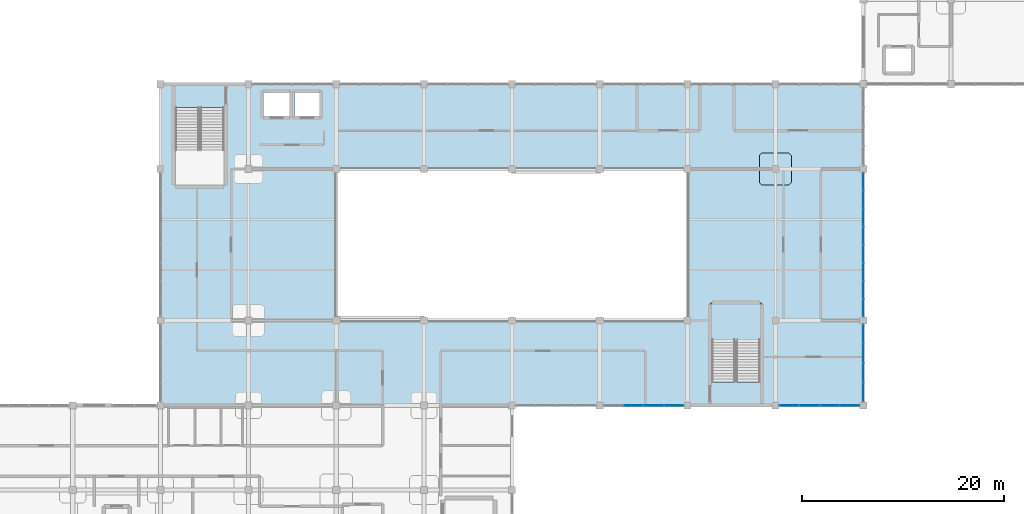
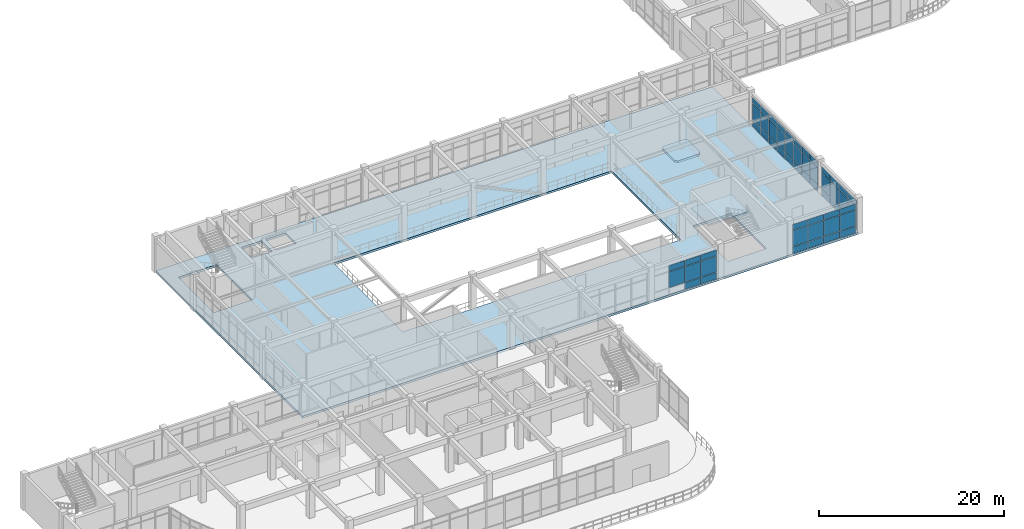
# One storey, part 55 of 76: 56 plates, 3 slabs, 6 elements without a shape of their own.
"""IFC4 building model written with IfcOpenShell, lengths in metres."""

from ifc_helpers import new_model, si_unit, derived_unit, direction, frame, origin, origin_2d, place, context, subcontext, project, spatial, polyline, rectangle, outline, extrude, material, layer, layer_set, type_object, element, aggregate, save


model = new_model("IFC4")

# Units and contexts
model_context = context("Model", 3, precision=1e-05, world=origin(), true_north=direction((0.0, 1.0)))
body_context = subcontext(model_context, "Body", "Model", "MODEL_VIEW")
ifc_project = project(units=[si_unit("LENGTHUNIT", "METRE"), si_unit("AREAUNIT", "SQUARE_METRE"), si_unit("VOLUMEUNIT", "CUBIC_METRE"), si_unit("PLANEANGLEUNIT", "RADIAN"), si_unit("MASSUNIT", "GRAM", prefix="KILO"), derived_unit("THERMALTRANSMITTANCEUNIT", [(si_unit("MASSUNIT", "GRAM", prefix="KILO"), 1), (si_unit("TIMEUNIT", "SECOND"), -3), (si_unit("THERMODYNAMICTEMPERATUREUNIT", "KELVIN"), -1)])], contexts=[model_context])

# Site, building, storey
site_placement = place(None, origin())
site = spatial("IfcSite", under=ifc_project, at=site_placement, CompositionType="ELEMENT")
building_placement = place(site_placement, origin())
building = spatial("IfcBuilding", under=site, at=building_placement, Name="Qinzheling Arcade Emporium", CompositionType="ELEMENT")
storey_placement = place(building_placement, frame((0.0, 0.0, 26.699951171875)))
storey = spatial("IfcBuildingStorey", under=building, at=storey_placement, Name="L06", CompositionType="ELEMENT", Elevation=26.699951171875)

# Slab
ifc_material_1 = material(Name="Concrete C40", Category="concrete")
ifc_layer_1 = layer(ifc_material_1, 0.300048828125, Name="Concrete C40", Category="concrete")
ifc_layer_set_1 = layer_set([ifc_layer_1], Name="Concrete C40")
slab_type_1 = type_object("IfcSlabType", Name="Column Head Drop Panel 3200x3200x300 C40", PredefinedType="USERDEFINED", material=ifc_layer_set_1)
slab_1_placement = place(storey_placement, frame((0.0, 0.0, -0.579833984375)))
element("IfcSlab", 1, at=slab_1_placement, inside=storey, type_object=slab_type_1, Name="Column Drop Panel DP-L06-12-H", ObjectType="DROP_PANEL", PredefinedType="USERDEFINED", context=body_context, shape_type="SweptSolid", body=[
    extrude(outline(polyline([(94.3798828125, 63.800048828125), (97.02001953125, 63.800048828125), (97.300048828125, 64.080078125), (97.300048828125, 66.719970703125), (97.02001953125, 67.0), (94.3798828125, 67.0), (94.10009765625, 66.719970703125), (94.10009765625, 64.080078125), (94.3798828125, 63.800048828125)])), origin(), (0.0, 0.0, 1.0), 0.2998046875),
])

# Curtain wall, plates
ifc_material_2 = material(Name="Anodised aluminium and solar-control double glazing", Category="aluminium")
ifc_layer_2 = layer(ifc_material_2, 0.159912109375, Name="Anodised aluminium and solar-control double glazing", Category="aluminium")
ifc_layer_set_2 = layer_set([ifc_layer_2], Name="Anodised aluminium and solar-control double glazing")
curtain_wall_type = type_object("IfcCurtainWallType", Name="Atrium Clerestory Curtain Wall", PredefinedType="NOTDEFINED", material=ifc_layer_set_2)
curtain_wall_1_placement = place(storey_placement, origin())
curtain_wall_1 = element("IfcCurtainWall", 2, at=curtain_wall_1_placement, inside=storey, type_object=curtain_wall_type, Name="Curtain Wall CW-L06-374", PredefinedType="NOTDEFINED")
ifc_material_3 = material(Name="Laminated solar-control double glazing", Category="glass")
ifc_layer_3 = layer(ifc_material_3, 0.033935546875, Name="Laminated solar-control double glazing", Category="glass")
ifc_layer_set_3 = layer_set([ifc_layer_3], Name="Laminated solar-control double glazing")
plate_type_1 = type_object("IfcPlateType", Name="Low-E Double Glazed Curtain Panel 34mm", PredefinedType="CURTAIN_PANEL", material=ifc_layer_set_3)
plate_1_placement = place(storey_placement, frame((104.39990234375, 64.1396484375, 0.06005859375), z_axis=(0.0, 0.0, 1.0), x_axis=(0.0, -1.0, 0.0)))
plate_1 = element("IfcPlate", 3, at=plate_1_placement, type_object=plate_type_1, Name="CW03 panel 1.1", PredefinedType="CURTAIN_PANEL", context=body_context, shape_type="SweptSolid", body=[
    extrude(rectangle(XDim=1.696533203125, YDim=0.033935546875, at=origin_2d()), origin(), (0.0, 0.0, 1.0), 0.860107421875),
])
plate_2_placement = place(storey_placement, frame((104.39990234375, 64.1396484375, 0.97998046875), z_axis=(0.0, 0.0, 1.0), x_axis=(0.0, -1.0, 0.0)))
plate_2 = element("IfcPlate", 4, at=plate_2_placement, type_object=plate_type_1, Name="CW03 panel 1.2", PredefinedType="CURTAIN_PANEL", context=body_context, shape_type="SweptSolid", body=[
    extrude(rectangle(XDim=1.696533203125, YDim=0.033935546875, at=origin_2d()), origin(), (0.0, 0.0, 1.0), 2.156982421875),
])
plate_3_placement = place(storey_placement, frame((104.39990234375, 64.1396484375, 3.197265625), z_axis=(0.0, 0.0, 1.0), x_axis=(0.0, -1.0, 0.0)))
plate_3 = element("IfcPlate", 5, at=plate_3_placement, type_object=plate_type_1, Name="CW03 panel 1.3", PredefinedType="CURTAIN_PANEL", context=body_context, shape_type="SweptSolid", body=[
    extrude(rectangle(XDim=1.696533203125, YDim=0.033935546875, at=origin_2d()), origin(), (0.0, 0.0, 1.0), 0.760009765625),
])
plate_4_placement = place(storey_placement, frame((104.39990234375, 62.3681640625, 0.06005859375), z_axis=(0.0, 0.0, 1.0), x_axis=(0.0, -1.0, 0.0)))
plate_4 = element("IfcPlate", 6, at=plate_4_placement, type_object=plate_type_1, Name="CW03 panel 2.1", PredefinedType="CURTAIN_PANEL", context=body_context, shape_type="SweptSolid", body=[
    extrude(rectangle(XDim=1.7265625, YDim=0.033935546875, at=origin_2d()), origin(), (0.0, 0.0, 1.0), 0.860107421875),
])
plate_5_placement = place(storey_placement, frame((104.39990234375, 62.3681640625, 0.97998046875), z_axis=(0.0, 0.0, 1.0), x_axis=(0.0, -1.0, 0.0)))
plate_5 = element("IfcPlate", 7, at=plate_5_placement, type_object=plate_type_1, Name="CW03 panel 2.2", PredefinedType="CURTAIN_PANEL", context=body_context, shape_type="SweptSolid", body=[
    extrude(rectangle(XDim=1.7265625, YDim=0.033935546875, at=origin_2d()), origin(), (0.0, 0.0, 1.0), 2.156982421875),
])
plate_6_placement = place(storey_placement, frame((104.39990234375, 62.3681640625, 3.197265625), z_axis=(0.0, 0.0, 1.0), x_axis=(0.0, -1.0, 0.0)))
plate_6 = element("IfcPlate", 8, at=plate_6_placement, type_object=plate_type_1, Name="CW03 panel 2.3", PredefinedType="CURTAIN_PANEL", context=body_context, shape_type="SweptSolid", body=[
    extrude(rectangle(XDim=1.7265625, YDim=0.033935546875, at=origin_2d()), origin(), (0.0, 0.0, 1.0), 0.760009765625),
])
plate_7_placement = place(storey_placement, frame((104.39990234375, 60.581787109375, 0.06005859375), z_axis=(0.0, 0.0, 1.0), x_axis=(0.0, -1.0, 0.0)))
plate_7 = element("IfcPlate", 9, at=plate_7_placement, type_object=plate_type_1, Name="CW03 panel 3.1", PredefinedType="CURTAIN_PANEL", context=body_context, shape_type="SweptSolid", body=[
    extrude(rectangle(XDim=1.7265625, YDim=0.033935546875, at=origin_2d()), origin(), (0.0, 0.0, 1.0), 0.860107421875),
])
plate_8_placement = place(storey_placement, frame((104.39990234375, 60.581787109375, 0.97998046875), z_axis=(0.0, 0.0, 1.0), x_axis=(0.0, -1.0, 0.0)))
plate_8 = element("IfcPlate", 10, at=plate_8_placement, type_object=plate_type_1, Name="CW03 panel 3.2", PredefinedType="CURTAIN_PANEL", context=body_context, shape_type="SweptSolid", body=[
    extrude(rectangle(XDim=1.7265625, YDim=0.033935546875, at=origin_2d()), origin(), (0.0, 0.0, 1.0), 2.156982421875),
])
plate_9_placement = place(storey_placement, frame((104.39990234375, 60.581787109375, 3.197265625), z_axis=(0.0, 0.0, 1.0), x_axis=(0.0, -1.0, 0.0)))
plate_9 = element("IfcPlate", 11, at=plate_9_placement, type_object=plate_type_1, Name="CW03 panel 3.3", PredefinedType="CURTAIN_PANEL", context=body_context, shape_type="SweptSolid", body=[
    extrude(rectangle(XDim=1.7265625, YDim=0.033935546875, at=origin_2d()), origin(), (0.0, 0.0, 1.0), 0.760009765625),
])
plate_10_placement = place(storey_placement, frame((104.39990234375, 58.810302734375, 0.06005859375), z_axis=(0.0, 0.0, 1.0), x_axis=(0.0, -1.0, 0.0)))
plate_10 = element("IfcPlate", 12, at=plate_10_placement, type_object=plate_type_1, Name="CW03 panel 4.1", PredefinedType="CURTAIN_PANEL", context=body_context, shape_type="SweptSolid", body=[
    extrude(rectangle(XDim=1.696533203125, YDim=0.033935546875, at=origin_2d()), origin(), (0.0, 0.0, 1.0), 0.860107421875),
])
plate_11_placement = place(storey_placement, frame((104.39990234375, 58.810302734375, 0.97998046875), z_axis=(0.0, 0.0, 1.0), x_axis=(0.0, -1.0, 0.0)))
plate_11 = element("IfcPlate", 13, at=plate_11_placement, type_object=plate_type_1, Name="CW03 panel 4.2", PredefinedType="CURTAIN_PANEL", context=body_context, shape_type="SweptSolid", body=[
    extrude(rectangle(XDim=1.696533203125, YDim=0.033935546875, at=origin_2d()), origin(), (0.0, 0.0, 1.0), 2.156982421875),
])
plate_12_placement = place(storey_placement, frame((104.39990234375, 58.810302734375, 3.197265625), z_axis=(0.0, 0.0, 1.0), x_axis=(0.0, -1.0, 0.0)))
plate_12 = element("IfcPlate", 14, at=plate_12_placement, type_object=plate_type_1, Name="CW03 panel 4.3", PredefinedType="CURTAIN_PANEL", context=body_context, shape_type="SweptSolid", body=[
    extrude(rectangle(XDim=1.696533203125, YDim=0.033935546875, at=origin_2d()), origin(), (0.0, 0.0, 1.0), 0.760009765625),
])
aggregate(curtain_wall_1, [plate_1, plate_2, plate_3, plate_4, plate_5, plate_6, plate_7, plate_8, plate_9, plate_10, plate_11, plate_12])

curtain_wall_2_placement = place(storey_placement, origin())
curtain_wall_2 = element("IfcCurtainWall", 15, at=curtain_wall_2_placement, inside=storey, type_object=curtain_wall_type, Name="Curtain Wall CW-L06-375", PredefinedType="NOTDEFINED")
ifc_layer_4 = layer(ifc_material_3, 0.035888671875, Name="Laminated solar-control double glazing", Category="glass")
ifc_layer_set_4 = layer_set([ifc_layer_4], Name="Laminated solar-control double glazing")
plate_type_2 = type_object("IfcPlateType", Name="Low-E Double Glazed Curtain Panel 36mm", PredefinedType="CURTAIN_PANEL", material=ifc_layer_set_4)
plate_13_placement = place(storey_placement, frame((104.39990234375, 56.98974609375, 0.06005859375), z_axis=(0.0, 0.0, 1.0), x_axis=(0.0, -1.0, 0.0)))
plate_13 = element("IfcPlate", 16, at=plate_13_placement, type_object=plate_type_2, Name="CW03 panel 1.1", PredefinedType="CURTAIN_PANEL", context=body_context, shape_type="SweptSolid", body=[
    extrude(rectangle(XDim=1.696533203125, YDim=0.035888671875, at=origin_2d()), origin(), (0.0, 0.0, 1.0), 0.860107421875),
])
plate_14_placement = place(storey_placement, frame((104.39990234375, 56.98974609375, 0.97998046875), z_axis=(0.0, 0.0, 1.0), x_axis=(0.0, -1.0, 0.0)))
plate_14 = element("IfcPlate", 17, at=plate_14_placement, type_object=plate_type_2, Name="CW03 panel 1.2", PredefinedType="CURTAIN_PANEL", context=body_context, shape_type="SweptSolid", body=[
    extrude(rectangle(XDim=1.696533203125, YDim=0.035888671875, at=origin_2d()), origin(), (0.0, 0.0, 1.0), 2.156982421875),
])
plate_15_placement = place(storey_placement, frame((104.39990234375, 56.98974609375, 3.197265625), z_axis=(0.0, 0.0, 1.0), x_axis=(0.0, -1.0, 0.0)))
plate_15 = element("IfcPlate", 18, at=plate_15_placement, type_object=plate_type_2, Name="CW03 panel 1.3", PredefinedType="CURTAIN_PANEL", context=body_context, shape_type="SweptSolid", body=[
    extrude(rectangle(XDim=1.696533203125, YDim=0.035888671875, at=origin_2d()), origin(), (0.0, 0.0, 1.0), 0.760009765625),
])
plate_16_placement = place(storey_placement, frame((104.39990234375, 55.21826171875, 0.06005859375), z_axis=(0.0, 0.0, 1.0), x_axis=(0.0, -1.0, 0.0)))
plate_16 = element("IfcPlate", 19, at=plate_16_placement, type_object=plate_type_2, Name="CW03 panel 2.1", PredefinedType="CURTAIN_PANEL", context=body_context, shape_type="SweptSolid", body=[
    extrude(rectangle(XDim=1.7265625, YDim=0.035888671875, at=origin_2d()), origin(), (0.0, 0.0, 1.0), 0.860107421875),
])
plate_17_placement = place(storey_placement, frame((104.39990234375, 55.21826171875, 0.97998046875), z_axis=(0.0, 0.0, 1.0), x_axis=(0.0, -1.0, 0.0)))
plate_17 = element("IfcPlate", 20, at=plate_17_placement, type_object=plate_type_2, Name="CW03 panel 2.2", PredefinedType="CURTAIN_PANEL", context=body_context, shape_type="SweptSolid", body=[
    extrude(rectangle(XDim=1.7265625, YDim=0.035888671875, at=origin_2d()), origin(), (0.0, 0.0, 1.0), 2.156982421875),
])
plate_18_placement = place(storey_placement, frame((104.39990234375, 55.21826171875, 3.197265625), z_axis=(0.0, 0.0, 1.0), x_axis=(0.0, -1.0, 0.0)))
plate_18 = element("IfcPlate", 21, at=plate_18_placement, type_object=plate_type_2, Name="CW03 panel 2.3", PredefinedType="CURTAIN_PANEL", context=body_context, shape_type="SweptSolid", body=[
    extrude(rectangle(XDim=1.7265625, YDim=0.035888671875, at=origin_2d()), origin(), (0.0, 0.0, 1.0), 0.760009765625),
])
plate_19_placement = place(storey_placement, frame((104.39990234375, 53.431640625, 0.06005859375), z_axis=(0.0, 0.0, 1.0), x_axis=(0.0, -1.0, 0.0)))
plate_19 = element("IfcPlate", 22, at=plate_19_placement, type_object=plate_type_2, Name="CW03 panel 3.1", PredefinedType="CURTAIN_PANEL", context=body_context, shape_type="SweptSolid", body=[
    extrude(rectangle(XDim=1.7265625, YDim=0.035888671875, at=origin_2d()), origin(), (0.0, 0.0, 1.0), 0.860107421875),
])
plate_20_placement = place(storey_placement, frame((104.39990234375, 53.431640625, 0.97998046875), z_axis=(0.0, 0.0, 1.0), x_axis=(0.0, -1.0, 0.0)))
plate_20 = element("IfcPlate", 23, at=plate_20_placement, type_object=plate_type_2, Name="CW03 panel 3.2", PredefinedType="CURTAIN_PANEL", context=body_context, shape_type="SweptSolid", body=[
    extrude(rectangle(XDim=1.7265625, YDim=0.035888671875, at=origin_2d()), origin(), (0.0, 0.0, 1.0), 2.156982421875),
])
plate_21_placement = place(storey_placement, frame((104.39990234375, 53.431640625, 3.197265625), z_axis=(0.0, 0.0, 1.0), x_axis=(0.0, -1.0, 0.0)))
plate_21 = element("IfcPlate", 24, at=plate_21_placement, type_object=plate_type_2, Name="CW03 panel 3.3", PredefinedType="CURTAIN_PANEL", context=body_context, shape_type="SweptSolid", body=[
    extrude(rectangle(XDim=1.7265625, YDim=0.035888671875, at=origin_2d()), origin(), (0.0, 0.0, 1.0), 0.760009765625),
])
plate_22_placement = place(storey_placement, frame((104.39990234375, 51.66015625, 0.06005859375), z_axis=(0.0, 0.0, 1.0), x_axis=(0.0, -1.0, 0.0)))
plate_22 = element("IfcPlate", 25, at=plate_22_placement, type_object=plate_type_2, Name="CW03 panel 4.1", PredefinedType="CURTAIN_PANEL", context=body_context, shape_type="SweptSolid", body=[
    extrude(rectangle(XDim=1.696533203125, YDim=0.035888671875, at=origin_2d()), origin(), (0.0, 0.0, 1.0), 0.860107421875),
])
plate_23_placement = place(storey_placement, frame((104.39990234375, 51.66015625, 0.97998046875), z_axis=(0.0, 0.0, 1.0), x_axis=(0.0, -1.0, 0.0)))
plate_23 = element("IfcPlate", 26, at=plate_23_placement, type_object=plate_type_2, Name="CW03 panel 4.2", PredefinedType="CURTAIN_PANEL", context=body_context, shape_type="SweptSolid", body=[
    extrude(rectangle(XDim=1.696533203125, YDim=0.035888671875, at=origin_2d()), origin(), (0.0, 0.0, 1.0), 2.156982421875),
])
plate_24_placement = place(storey_placement, frame((104.39990234375, 51.66015625, 3.197265625), z_axis=(0.0, 0.0, 1.0), x_axis=(0.0, -1.0, 0.0)))
plate_24 = element("IfcPlate", 27, at=plate_24_placement, type_object=plate_type_2, Name="CW03 panel 4.3", PredefinedType="CURTAIN_PANEL", context=body_context, shape_type="SweptSolid", body=[
    extrude(rectangle(XDim=1.696533203125, YDim=0.035888671875, at=origin_2d()), origin(), (0.0, 0.0, 1.0), 0.760009765625),
])
aggregate(curtain_wall_2, [plate_13, plate_14, plate_15, plate_16, plate_17, plate_18, plate_19, plate_20, plate_21, plate_22, plate_23, plate_24])

curtain_wall_3_placement = place(storey_placement, origin())
curtain_wall_3 = element("IfcCurtainWall", 28, at=curtain_wall_3_placement, inside=storey, type_object=curtain_wall_type, Name="Curtain Wall CW-L06-376", PredefinedType="NOTDEFINED")
ifc_layer_5 = layer(ifc_material_3, 0.0380859375, Name="Laminated solar-control double glazing", Category="glass")
ifc_layer_set_5 = layer_set([ifc_layer_5], Name="Laminated solar-control double glazing")
plate_type_3 = type_object("IfcPlateType", Name="Low-E Double Glazed Curtain Panel 38mm", PredefinedType="CURTAIN_PANEL", material=ifc_layer_set_5)
plate_25_placement = place(storey_placement, frame((104.39990234375, 49.071044921875, 0.06005859375), z_axis=(0.0, 0.0, 1.0), x_axis=(0.0, -1.0, 0.0)))
plate_25 = element("IfcPlate", 29, at=plate_25_placement, type_object=plate_type_3, Name="CW03 panel 1.1", PredefinedType="CURTAIN_PANEL", context=body_context, shape_type="SweptSolid", body=[
    extrude(rectangle(XDim=1.833984375, YDim=0.0380859375, at=origin_2d()), origin(), (0.0, 0.0, 1.0), 0.860107421875),
])
plate_26_placement = place(storey_placement, frame((104.39990234375, 49.071044921875, 0.97998046875), z_axis=(0.0, 0.0, 1.0), x_axis=(0.0, -1.0, 0.0)))
plate_26 = element("IfcPlate", 30, at=plate_26_placement, type_object=plate_type_3, Name="CW03 panel 1.2", PredefinedType="CURTAIN_PANEL", context=body_context, shape_type="SweptSolid", body=[
    extrude(rectangle(XDim=1.833984375, YDim=0.0380859375, at=origin_2d()), origin(), (0.0, 0.0, 1.0), 2.094970703125),
])
plate_27_placement = place(storey_placement, frame((104.39990234375, 49.071044921875, 3.13525390625), z_axis=(0.0, 0.0, 1.0), x_axis=(0.0, -1.0, 0.0)))
plate_27 = element("IfcPlate", 31, at=plate_27_placement, type_object=plate_type_3, Name="CW03 panel 1.3", PredefinedType="CURTAIN_PANEL", context=body_context, shape_type="SweptSolid", body=[
    extrude(rectangle(XDim=1.833984375, YDim=0.0380859375, at=origin_2d()), origin(), (0.0, 0.0, 1.0), 0.760009765625),
])
plate_28_placement = place(storey_placement, frame((104.39990234375, 47.162109375, 0.06005859375), z_axis=(0.0, 0.0, 1.0), x_axis=(0.0, -1.0, 0.0)))
plate_28 = element("IfcPlate", 32, at=plate_28_placement, type_object=plate_type_3, Name="CW03 panel 2.1", PredefinedType="CURTAIN_PANEL", context=body_context, shape_type="SweptSolid", body=[
    extrude(rectangle(XDim=1.864013671875, YDim=0.0380859375, at=origin_2d()), origin(), (0.0, 0.0, 1.0), 0.860107421875),
])
plate_29_placement = place(storey_placement, frame((104.39990234375, 47.162109375, 0.97998046875), z_axis=(0.0, 0.0, 1.0), x_axis=(0.0, -1.0, 0.0)))
plate_29 = element("IfcPlate", 33, at=plate_29_placement, type_object=plate_type_3, Name="CW03 panel 2.2", PredefinedType="CURTAIN_PANEL", context=body_context, shape_type="SweptSolid", body=[
    extrude(rectangle(XDim=1.864013671875, YDim=0.0380859375, at=origin_2d()), origin(), (0.0, 0.0, 1.0), 2.094970703125),
])
plate_30_placement = place(storey_placement, frame((104.39990234375, 47.162109375, 3.13525390625), z_axis=(0.0, 0.0, 1.0), x_axis=(0.0, -1.0, 0.0)))
plate_30 = element("IfcPlate", 34, at=plate_30_placement, type_object=plate_type_3, Name="CW03 panel 2.3", PredefinedType="CURTAIN_PANEL", context=body_context, shape_type="SweptSolid", body=[
    extrude(rectangle(XDim=1.864013671875, YDim=0.0380859375, at=origin_2d()), origin(), (0.0, 0.0, 1.0), 0.760009765625),
])
plate_31_placement = place(storey_placement, frame((104.39990234375, 45.238037109375, 0.06005859375), z_axis=(0.0, 0.0, 1.0), x_axis=(0.0, -1.0, 0.0)))
plate_31 = element("IfcPlate", 35, at=plate_31_placement, type_object=plate_type_3, Name="CW03 panel 3.1", PredefinedType="CURTAIN_PANEL", context=body_context, shape_type="SweptSolid", body=[
    extrude(rectangle(XDim=1.864013671875, YDim=0.0380859375, at=origin_2d()), origin(), (0.0, 0.0, 1.0), 0.860107421875),
])
plate_32_placement = place(storey_placement, frame((104.39990234375, 45.238037109375, 0.97998046875), z_axis=(0.0, 0.0, 1.0), x_axis=(0.0, -1.0, 0.0)))
plate_32 = element("IfcPlate", 36, at=plate_32_placement, type_object=plate_type_3, Name="CW03 panel 3.2", PredefinedType="CURTAIN_PANEL", context=body_context, shape_type="SweptSolid", body=[
    extrude(rectangle(XDim=1.864013671875, YDim=0.0380859375, at=origin_2d()), origin(), (0.0, 0.0, 1.0), 2.094970703125),
])
plate_33_placement = place(storey_placement, frame((104.39990234375, 45.238037109375, 3.13525390625), z_axis=(0.0, 0.0, 1.0), x_axis=(0.0, -1.0, 0.0)))
plate_33 = element("IfcPlate", 37, at=plate_33_placement, type_object=plate_type_3, Name="CW03 panel 3.3", PredefinedType="CURTAIN_PANEL", context=body_context, shape_type="SweptSolid", body=[
    extrude(rectangle(XDim=1.864013671875, YDim=0.0380859375, at=origin_2d()), origin(), (0.0, 0.0, 1.0), 0.760009765625),
])
plate_34_placement = place(storey_placement, frame((104.39990234375, 43.3291015625, 0.06005859375), z_axis=(0.0, 0.0, 1.0), x_axis=(0.0, -1.0, 0.0)))
plate_34 = element("IfcPlate", 38, at=plate_34_placement, type_object=plate_type_3, Name="CW03 panel 4.1", PredefinedType="CURTAIN_PANEL", context=body_context, shape_type="SweptSolid", body=[
    extrude(rectangle(XDim=1.833984375, YDim=0.0380859375, at=origin_2d()), origin(), (0.0, 0.0, 1.0), 0.860107421875),
])
plate_35_placement = place(storey_placement, frame((104.39990234375, 43.3291015625, 0.97998046875), z_axis=(0.0, 0.0, 1.0), x_axis=(0.0, -1.0, 0.0)))
plate_35 = element("IfcPlate", 39, at=plate_35_placement, type_object=plate_type_3, Name="CW03 panel 4.2", PredefinedType="CURTAIN_PANEL", context=body_context, shape_type="SweptSolid", body=[
    extrude(rectangle(XDim=1.833984375, YDim=0.0380859375, at=origin_2d()), origin(), (0.0, 0.0, 1.0), 2.094970703125),
])
plate_36_placement = place(storey_placement, frame((104.39990234375, 43.3291015625, 3.13525390625), z_axis=(0.0, 0.0, 1.0), x_axis=(0.0, -1.0, 0.0)))
plate_36 = element("IfcPlate", 40, at=plate_36_placement, type_object=plate_type_3, Name="CW03 panel 4.3", PredefinedType="CURTAIN_PANEL", context=body_context, shape_type="SweptSolid", body=[
    extrude(rectangle(XDim=1.833984375, YDim=0.0380859375, at=origin_2d()), origin(), (0.0, 0.0, 1.0), 0.760009765625),
])
aggregate(curtain_wall_3, [plate_25, plate_26, plate_27, plate_28, plate_29, plate_30, plate_31, plate_32, plate_33, plate_34, plate_35, plate_36])

curtain_wall_4_placement = place(storey_placement, origin())
curtain_wall_4 = element("IfcCurtainWall", 41, at=curtain_wall_4_placement, inside=storey, type_object=curtain_wall_type, Name="Curtain Wall CW-L06-377", PredefinedType="NOTDEFINED")
ifc_layer_6 = layer(ifc_material_3, 0.0400390625, Name="Laminated solar-control double glazing", Category="glass")
ifc_layer_set_6 = layer_set([ifc_layer_6], Name="Laminated solar-control double glazing")
plate_type_4 = type_object("IfcPlateType", Name="Low-E Double Glazed Curtain Panel 40mm", PredefinedType="CURTAIN_PANEL", material=ifc_layer_set_6)
plate_37_placement = place(storey_placement, frame((103.033447265625, 42.0, 0.06005859375), z_axis=(0.0, 0.0, 1.0), x_axis=(-1.0, 0.0, 0.0)))
plate_37 = element("IfcPlate", 42, at=plate_37_placement, type_object=plate_type_4, Name="CW03 panel 1.1", PredefinedType="CURTAIN_PANEL", context=body_context, shape_type="SweptSolid", body=[
    extrude(rectangle(XDim=1.908935546875, YDim=0.0400390625, at=origin_2d()), origin(), (0.0, 0.0, 1.0), 0.860107421875),
])
plate_38_placement = place(storey_placement, frame((103.033447265625, 42.0, 0.97998046875), z_axis=(0.0, 0.0, 1.0), x_axis=(-1.0, 0.0, 0.0)))
plate_38 = element("IfcPlate", 43, at=plate_38_placement, type_object=plate_type_4, Name="CW03 panel 1.2", PredefinedType="CURTAIN_PANEL", context=body_context, shape_type="SweptSolid", body=[
    extrude(rectangle(XDim=1.908935546875, YDim=0.0400390625, at=origin_2d()), origin(), (0.0, 0.0, 1.0), 2.094970703125),
])
plate_39_placement = place(storey_placement, frame((103.033447265625, 42.0, 3.13525390625), z_axis=(0.0, 0.0, 1.0), x_axis=(-1.0, 0.0, 0.0)))
plate_39 = element("IfcPlate", 44, at=plate_39_placement, type_object=plate_type_4, Name="CW03 panel 1.3", PredefinedType="CURTAIN_PANEL", context=body_context, shape_type="SweptSolid", body=[
    extrude(rectangle(XDim=1.908935546875, YDim=0.0400390625, at=origin_2d()), origin(), (0.0, 0.0, 1.0), 0.760009765625),
])
plate_40_placement = place(storey_placement, frame((101.049560546875, 42.0, 0.06005859375), z_axis=(0.0, 0.0, 1.0), x_axis=(-1.0, 0.0, 0.0)))
plate_40 = element("IfcPlate", 45, at=plate_40_placement, type_object=plate_type_4, Name="CW03 panel 2.1", PredefinedType="CURTAIN_PANEL", context=body_context, shape_type="SweptSolid", body=[
    extrude(rectangle(XDim=1.93896484375, YDim=0.0400390625, at=origin_2d()), origin(), (0.0, 0.0, 1.0), 0.860107421875),
])
plate_41_placement = place(storey_placement, frame((101.049560546875, 42.0, 0.97998046875), z_axis=(0.0, 0.0, 1.0), x_axis=(-1.0, 0.0, 0.0)))
plate_41 = element("IfcPlate", 46, at=plate_41_placement, type_object=plate_type_4, Name="CW03 panel 2.2", PredefinedType="CURTAIN_PANEL", context=body_context, shape_type="SweptSolid", body=[
    extrude(rectangle(XDim=1.93896484375, YDim=0.0400390625, at=origin_2d()), origin(), (0.0, 0.0, 1.0), 2.094970703125),
])
plate_42_placement = place(storey_placement, frame((101.049560546875, 42.0, 3.13525390625), z_axis=(0.0, 0.0, 1.0), x_axis=(-1.0, 0.0, 0.0)))
plate_42 = element("IfcPlate", 47, at=plate_42_placement, type_object=plate_type_4, Name="CW03 panel 2.3", PredefinedType="CURTAIN_PANEL", context=body_context, shape_type="SweptSolid", body=[
    extrude(rectangle(XDim=1.93896484375, YDim=0.0400390625, at=origin_2d()), origin(), (0.0, 0.0, 1.0), 0.760009765625),
])
plate_43_placement = place(storey_placement, frame((99.050537109375, 42.0, 0.06005859375), z_axis=(0.0, 0.0, 1.0), x_axis=(-1.0, 0.0, 0.0)))
plate_43 = element("IfcPlate", 48, at=plate_43_placement, type_object=plate_type_4, Name="CW03 panel 3.1", PredefinedType="CURTAIN_PANEL", context=body_context, shape_type="SweptSolid", body=[
    extrude(rectangle(XDim=1.93896484375, YDim=0.0400390625, at=origin_2d()), origin(), (0.0, 0.0, 1.0), 0.860107421875),
])
plate_44_placement = place(storey_placement, frame((99.050537109375, 42.0, 0.97998046875), z_axis=(0.0, 0.0, 1.0), x_axis=(-1.0, 0.0, 0.0)))
plate_44 = element("IfcPlate", 49, at=plate_44_placement, type_object=plate_type_4, Name="CW03 panel 3.2", PredefinedType="CURTAIN_PANEL", context=body_context, shape_type="SweptSolid", body=[
    extrude(rectangle(XDim=1.93896484375, YDim=0.0400390625, at=origin_2d()), origin(), (0.0, 0.0, 1.0), 2.094970703125),
])
plate_45_placement = place(storey_placement, frame((99.050537109375, 42.0, 3.13525390625), z_axis=(0.0, 0.0, 1.0), x_axis=(-1.0, 0.0, 0.0)))
plate_45 = element("IfcPlate", 50, at=plate_45_placement, type_object=plate_type_4, Name="CW03 panel 3.3", PredefinedType="CURTAIN_PANEL", context=body_context, shape_type="SweptSolid", body=[
    extrude(rectangle(XDim=1.93896484375, YDim=0.0400390625, at=origin_2d()), origin(), (0.0, 0.0, 1.0), 0.760009765625),
])
plate_46_placement = place(storey_placement, frame((97.06640625, 42.0, 0.06005859375), z_axis=(0.0, 0.0, 1.0), x_axis=(-1.0, 0.0, 0.0)))
plate_46 = element("IfcPlate", 51, at=plate_46_placement, type_object=plate_type_4, Name="CW03 panel 4.1", PredefinedType="CURTAIN_PANEL", context=body_context, shape_type="SweptSolid", body=[
    extrude(rectangle(XDim=1.908935546875, YDim=0.0400390625, at=origin_2d()), origin(), (0.0, 0.0, 1.0), 0.860107421875),
])
plate_47_placement = place(storey_placement, frame((97.06640625, 42.0, 0.97998046875), z_axis=(0.0, 0.0, 1.0), x_axis=(-1.0, 0.0, 0.0)))
plate_47 = element("IfcPlate", 52, at=plate_47_placement, type_object=plate_type_4, Name="CW03 panel 4.2", PredefinedType="CURTAIN_PANEL", context=body_context, shape_type="SweptSolid", body=[
    extrude(rectangle(XDim=1.908935546875, YDim=0.0400390625, at=origin_2d()), origin(), (0.0, 0.0, 1.0), 2.094970703125),
])
plate_48_placement = place(storey_placement, frame((97.06640625, 42.0, 3.13525390625), z_axis=(0.0, 0.0, 1.0), x_axis=(-1.0, 0.0, 0.0)))
plate_48 = element("IfcPlate", 53, at=plate_48_placement, type_object=plate_type_4, Name="CW03 panel 4.3", PredefinedType="CURTAIN_PANEL", context=body_context, shape_type="SweptSolid", body=[
    extrude(rectangle(XDim=1.908935546875, YDim=0.0400390625, at=origin_2d()), origin(), (0.0, 0.0, 1.0), 0.760009765625),
])
aggregate(curtain_wall_4, [plate_37, plate_38, plate_39, plate_40, plate_41, plate_42, plate_43, plate_44, plate_45, plate_46, plate_47, plate_48])

curtain_wall_5_placement = place(storey_placement, origin())
curtain_wall_5 = element("IfcCurtainWall", 54, at=curtain_wall_5_placement, inside=storey, type_object=curtain_wall_type, Name="Curtain Wall CW-L06-378", PredefinedType="NOTDEFINED")
ifc_layer_7 = layer(ifc_material_3, 0.0419921875, Name="Laminated solar-control double glazing", Category="glass")
ifc_layer_set_7 = layer_set([ifc_layer_7], Name="Laminated solar-control double glazing")
plate_type_5 = type_object("IfcPlateType", Name="Low-E Double Glazed Curtain Panel 42mm", PredefinedType="CURTAIN_PANEL", material=ifc_layer_set_7)
plate_49_placement = place(storey_placement, frame((85.633544921875, 42.0, 0.06005859375), z_axis=(0.0, 0.0, 1.0), x_axis=(-1.0, 0.0, 0.0)))
plate_49 = element("IfcPlate", 55, at=plate_49_placement, type_object=plate_type_5, Name="CW03 panel 1.1", PredefinedType="CURTAIN_PANEL", context=body_context, shape_type="SweptSolid", body=[
    extrude(rectangle(XDim=1.908935546875, YDim=0.0419921875, at=origin_2d()), origin(), (0.0, 0.0, 1.0), 0.860107421875),
])
plate_50_placement = place(storey_placement, frame((85.633544921875, 42.0, 0.97998046875), z_axis=(0.0, 0.0, 1.0), x_axis=(-1.0, 0.0, 0.0)))
plate_50 = element("IfcPlate", 56, at=plate_50_placement, type_object=plate_type_5, Name="CW03 panel 1.2", PredefinedType="CURTAIN_PANEL", context=body_context, shape_type="SweptSolid", body=[
    extrude(rectangle(XDim=1.908935546875, YDim=0.0419921875, at=origin_2d()), origin(), (0.0, 0.0, 1.0), 2.094970703125),
])
plate_51_placement = place(storey_placement, frame((85.633544921875, 42.0, 3.13525390625), z_axis=(0.0, 0.0, 1.0), x_axis=(-1.0, 0.0, 0.0)))
plate_51 = element("IfcPlate", 57, at=plate_51_placement, type_object=plate_type_5, Name="CW03 panel 1.3", PredefinedType="CURTAIN_PANEL", context=body_context, shape_type="SweptSolid", body=[
    extrude(rectangle(XDim=1.908935546875, YDim=0.0419921875, at=origin_2d()), origin(), (0.0, 0.0, 1.0), 0.760009765625),
])
plate_52_placement = place(storey_placement, frame((83.6494140625, 42.0, 0.06005859375), z_axis=(0.0, 0.0, 1.0), x_axis=(-1.0, 0.0, 0.0)))
plate_52 = element("IfcPlate", 58, at=plate_52_placement, type_object=plate_type_5, Name="CW03 panel 2.1", PredefinedType="CURTAIN_PANEL", context=body_context, shape_type="SweptSolid", body=[
    extrude(rectangle(XDim=1.93896484375, YDim=0.0419921875, at=origin_2d()), origin(), (0.0, 0.0, 1.0), 0.860107421875),
])
plate_53_placement = place(storey_placement, frame((83.6494140625, 42.0, 0.97998046875), z_axis=(0.0, 0.0, 1.0), x_axis=(-1.0, 0.0, 0.0)))
plate_53 = element("IfcPlate", 59, at=plate_53_placement, type_object=plate_type_5, Name="CW03 panel 2.2", PredefinedType="CURTAIN_PANEL", context=body_context, shape_type="SweptSolid", body=[
    extrude(rectangle(XDim=1.93896484375, YDim=0.0419921875, at=origin_2d()), origin(), (0.0, 0.0, 1.0), 2.094970703125),
])
plate_54_placement = place(storey_placement, frame((83.6494140625, 42.0, 3.13525390625), z_axis=(0.0, 0.0, 1.0), x_axis=(-1.0, 0.0, 0.0)))
plate_54 = element("IfcPlate", 60, at=plate_54_placement, type_object=plate_type_5, Name="CW03 panel 2.3", PredefinedType="CURTAIN_PANEL", context=body_context, shape_type="SweptSolid", body=[
    extrude(rectangle(XDim=1.93896484375, YDim=0.0419921875, at=origin_2d()), origin(), (0.0, 0.0, 1.0), 0.760009765625),
])
plate_55_placement = place(storey_placement, frame((81.650390625, 42.0, 0.97998046875), z_axis=(0.0, 0.0, 1.0), x_axis=(-1.0, 0.0, 0.0)))
plate_55 = element("IfcPlate", 61, at=plate_55_placement, type_object=plate_type_5, Name="CW03 panel 3.2", PredefinedType="CURTAIN_PANEL", context=body_context, shape_type="SweptSolid", body=[
    extrude(rectangle(XDim=1.93896484375, YDim=0.0419921875, at=origin_2d()), origin(), (0.0, 0.0, 1.0), 2.094970703125),
])
plate_56_placement = place(storey_placement, frame((81.650390625, 42.0, 3.13525390625), z_axis=(0.0, 0.0, 1.0), x_axis=(-1.0, 0.0, 0.0)))
plate_56 = element("IfcPlate", 62, at=plate_56_placement, type_object=plate_type_5, Name="CW03 panel 3.3", PredefinedType="CURTAIN_PANEL", context=body_context, shape_type="SweptSolid", body=[
    extrude(rectangle(XDim=1.93896484375, YDim=0.0419921875, at=origin_2d()), origin(), (0.0, 0.0, 1.0), 0.760009765625),
])
aggregate(curtain_wall_5, [plate_49, plate_50, plate_51, plate_52, plate_53, plate_54, plate_55, plate_56])

# Slab
ifc_layer_8 = layer(ifc_material_1, 0.280029296875, Name="Concrete C40", Category="concrete")
ifc_layer_set_8 = layer_set([ifc_layer_8], Name="Concrete C40")
slab_type_2 = type_object("IfcSlabType", Name="Retail Two-Way Flat Slab 280 C40", PredefinedType="FLOOR", material=ifc_layer_set_8)
slab_2_placement = place(storey_placement, frame((0.0, 0.0, -0.280029296875)))
element("IfcSlab", 63, at=slab_2_placement, inside=storey, type_object=slab_type_2, Name="Floor Slab SLB-L06-V2", PredefinedType="FLOOR", context=body_context, shape_type="SweptSolid", body=[
    extrude(outline(polyline([(34.800048828125, 42.0), (104.39990234375, 42.0), (104.39990234375, 73.800048828125), (34.800048828125, 73.800048828125), (34.800048828125, 42.0)]), holes=[polyline([(94.18994140625, 44.324951171875), (89.39990234375, 44.324951171875), (89.39990234375, 52.0), (94.18994140625, 52.0), (94.18994140625, 44.324951171875)]), polyline([(87.0, 50.39990234375), (52.199951171875, 50.39990234375), (52.199951171875, 65.39990234375), (87.0, 65.39990234375), (87.0, 50.39990234375)]), polyline([(50.550048828125, 70.64990234375), (48.050048828125, 70.64990234375), (48.050048828125, 72.949951171875), (50.550048828125, 72.949951171875), (50.550048828125, 70.64990234375)]), polyline([(47.550048828125, 70.64990234375), (45.050048828125, 70.64990234375), (45.050048828125, 72.949951171875), (47.550048828125, 72.949951171875), (47.550048828125, 70.64990234375)]), polyline([(41.090087890625, 63.800048828125), (36.300048828125, 63.800048828125), (36.300048828125, 71.47509765625), (41.090087890625, 71.47509765625), (41.090087890625, 63.800048828125)])]), origin(), (0.0, 0.0, 1.0), 0.280029296875),
])

# Stair, slab
stair_type = type_object("IfcStairType", Name="Cast-in-Situ Dog-Leg Escape Stair H4800", PredefinedType="HALF_TURN_STAIR", material=ifc_material_1)
stair_placement = place(storey_placement, origin())
stair = element("IfcStair", 64, at=stair_placement, inside=storey, type_object=stair_type, Name="L06 ST04", PredefinedType="HALF_TURN_STAIR")
ifc_layer_9 = layer(ifc_material_1, 0.199951171875, Name="Concrete C40", Category="concrete")
ifc_layer_set_9 = layer_set([ifc_layer_9], Name="Concrete C40")
slab_type_3 = type_object("IfcSlabType", Name="Stair Half-Turn Landing Slab 200 C40", PredefinedType="LANDING", material=ifc_layer_set_9)
slab_3_placement = place(storey_placement, frame((0.0, 0.0, 2.199951171875)))
slab_3 = element("IfcSlab", 65, at=slab_3_placement, type_object=slab_type_3, Name="ST04 landing 1", PredefinedType="LANDING", context=body_context, shape_type="SweptSolid", body=[
    extrude(outline(polyline([(94.31005859375, 48.39990234375), (89.280029296875, 48.39990234375), (89.280029296875, 52.1201171875), (94.31005859375, 52.1201171875), (94.31005859375, 48.39990234375)])), origin(), (0.0, 0.0, 1.0), 0.2001953125),
])
aggregate(stair, [slab_3])

save(model, "model.ifc")
